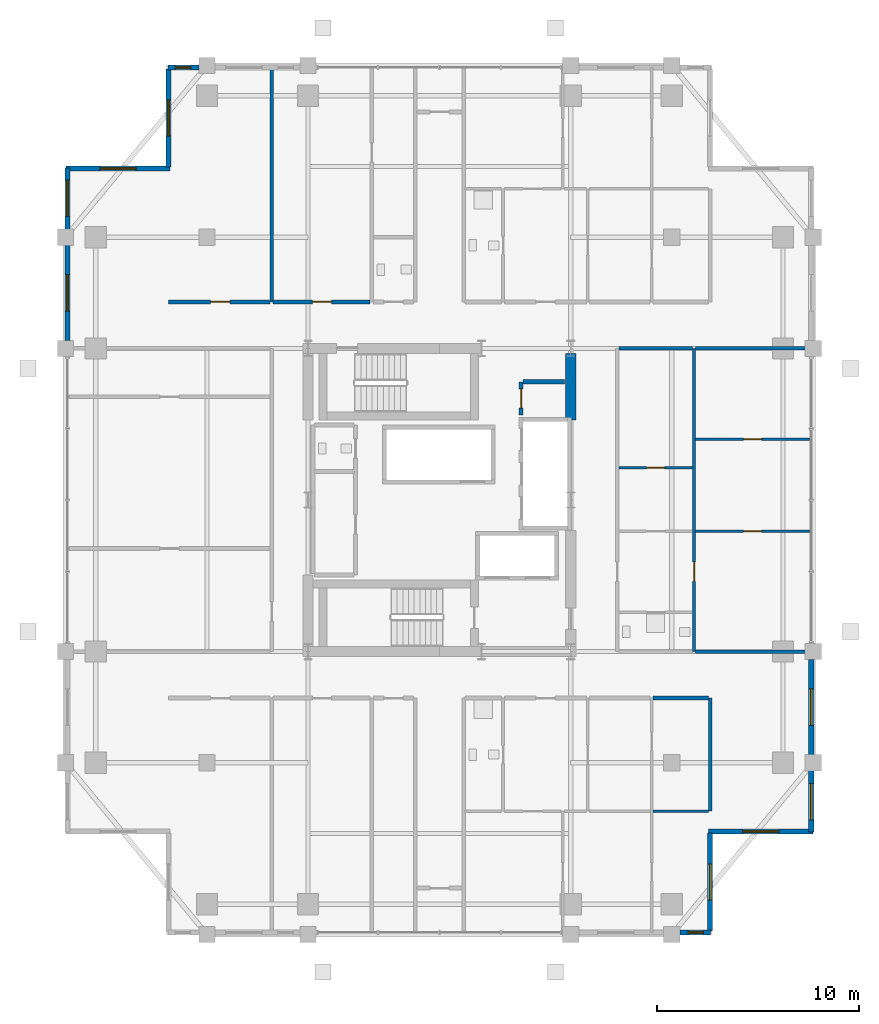
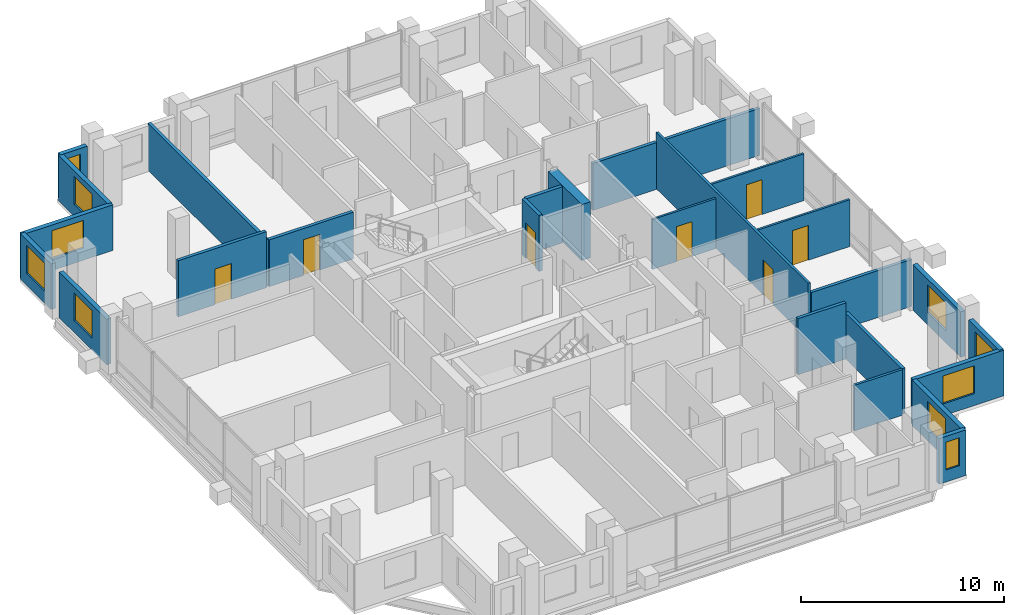
# One storey, part 20 of 24: 26 walls, 10 windows, 7 doors, 17 openings.
"""IFC4 building model written with IfcOpenShell, lengths in metres."""

from ifc_helpers import new_model, si_unit, direction, frame, frame_2d, origin, place, context, subcontext, project, spatial, rectangle, extrude, material, layer, layer_set, type_object, element, fill, save


model = new_model("IFC4")

# Units and contexts
model_context = context("Model", 3, precision=1e-05, world=origin(), true_north=direction((0.0, 1.0)))
body_context = subcontext(model_context, "Body", "Model", "MODEL_VIEW")
ifc_project = project(units=[si_unit("LENGTHUNIT", "METRE"), si_unit("AREAUNIT", "SQUARE_METRE"), si_unit("VOLUMEUNIT", "CUBIC_METRE"), si_unit("PLANEANGLEUNIT", "RADIAN"), si_unit("MASSUNIT", "GRAM", prefix="KILO")], contexts=[model_context])

# Site, building, storey
site_placement = place(None, origin())
site = spatial("IfcSite", under=ifc_project, at=site_placement, CompositionType="ELEMENT")
building_placement = place(site_placement, origin())
building = spatial("IfcBuilding", under=site, at=building_placement, Name="Barlavira Tower and Art Museum", CompositionType="ELEMENT")
storey_placement = place(building_placement, frame((0.0, 0.0, 180.0)))
storey = spatial("IfcBuildingStorey", under=building, at=storey_placement, Name="L46", CompositionType="ELEMENT", Elevation=180.0)

# Wall, opening, door
ifc_material_1 = material(Name="Gypsum acoustic stud partition", Category="gypsum")
ifc_layer_1 = layer(ifc_material_1, 0.1201171875, Name="Gypsum acoustic stud partition")
ifc_layer_set_1 = layer_set([ifc_layer_1], Name="Gypsum acoustic stud partition")
wall_type_1 = type_object("IfcWallType", Name="Apartment Internal Acoustic Partition 120", PredefinedType="PARTITIONING", material=ifc_layer_set_1)
wall_1_placement = place(storey_placement, frame((12.679931640625, -1.550048828125, 0.0), z_axis=(0.0, 0.0, 1.0), x_axis=(1.0, 0.0, 0.0)))
wall_1 = element("IfcWall", 1, at=wall_1_placement, inside=storey, type_object=wall_type_1, Name="L46 Partition Wall 45", PredefinedType="PARTITIONING", context=body_context, shape_type="SweptSolid", body=[
    extrude(rectangle(XDim=5.64013671875, YDim=0.1201171875, at=frame_2d((2.820068359375, 0.0))), origin(), (0.0, 0.0, 1.0), 2.825927734375),
])
opening_1_placement = place(wall_1_placement, frame((2.3701171875, 0.0, 0.0)))
opening_1 = element("IfcOpeningElement", 2, at=opening_1_placement, cuts=wall_1, Name="Opening D-01", PredefinedType="OPENING", context=body_context, shape_type="SweptSolid", body=[
    extrude(rectangle(XDim=0.89990234375, YDim=2.10009765625, at=frame_2d((0.449951171875, 1.050048828125))), frame((0.0, 0.070068359375, 0.0), z_axis=(0.0, -1.0, 0.0), x_axis=(1.0, 0.0, 0.0)), (0.0, 0.0, 1.0), 0.14013671875),
])
ifc_material_2 = material(Name="Engineered coastal hardwood", Category="wood")
door_type_1 = type_object("IfcDoorType", Name="Internal Bedroom Timber Flush Door 900x2100", OperationType="NOTDEFINED", PredefinedType="DOOR", material=ifc_material_2)
door_1_placement = place(opening_1_placement, origin())
door_1 = element("IfcDoor", 3, at=door_1_placement, inside=storey, type_object=door_type_1, Name="Apartment E1 Bedroom 1 Door", OperationType="SINGLE_SWING_LEFT", OverallHeight=2.10009765625, OverallWidth=0.89990234375, PredefinedType="DOOR", context=body_context, shape_type="SweptSolid", body=[
    extrude(rectangle(XDim=0.89990234375, YDim=2.10009765625, at=frame_2d((0.449951171875, 1.050048828125))), frame((0.0, 0.02490234375, 0.0), z_axis=(0.0, -1.0, 0.0), x_axis=(1.0, 0.0, 0.0)), (0.0, 0.0, 1.0), 0.050048828125),
])
fill(opening_1, door_1)

wall_2_placement = place(storey_placement, frame((8.8798828125, 1.60009765625, 0.0), z_axis=(0.0, 0.0, 1.0), x_axis=(1.0, 0.0, 0.0)))
wall_2 = element("IfcWall", 4, at=wall_2_placement, inside=storey, type_object=wall_type_1, Name="L46 Partition Wall 47", PredefinedType="PARTITIONING", context=body_context, shape_type="SweptSolid", body=[
    extrude(rectangle(XDim=3.64013671875, YDim=0.1201171875, at=frame_2d((1.820068359375, 0.0))), origin(), (0.0, 0.0, 1.0), 3.010986328125),
])
opening_2_placement = place(wall_2_placement, frame((1.3701171875, 0.0, 0.0)))
opening_2 = element("IfcOpeningElement", 5, at=opening_2_placement, cuts=wall_2, Name="Opening D-01", PredefinedType="OPENING", context=body_context, shape_type="SweptSolid", body=[
    extrude(rectangle(XDim=0.89990234375, YDim=2.10009765625, at=frame_2d((0.449951171875, 1.050048828125))), frame((0.0, 0.070068359375, 0.0), z_axis=(0.0, -1.0, 0.0), x_axis=(1.0, 0.0, 0.0)), (0.0, 0.0, 1.0), 0.14013671875),
])
door_2_placement = place(opening_2_placement, origin())
door_2 = element("IfcDoor", 6, at=door_2_placement, inside=storey, type_object=door_type_1, Name="Apartment E1 Walk-In Dressing Room Door", OperationType="SINGLE_SWING_LEFT", OverallHeight=2.10009765625, OverallWidth=0.89990234375, PredefinedType="DOOR", context=body_context, shape_type="SweptSolid", body=[
    extrude(rectangle(XDim=0.89990234375, YDim=2.10009765625, at=frame_2d((0.449951171875, 1.050048828125))), frame((0.0, 0.02490234375, 0.0), z_axis=(0.0, -1.0, 0.0), x_axis=(1.0, 0.0, 0.0)), (0.0, 0.0, 1.0), 0.050048828125),
])
fill(opening_2, door_2)

wall_3_placement = place(storey_placement, frame((12.679931640625, 3.0, 0.0), z_axis=(0.0, 0.0, 1.0), x_axis=(1.0, 0.0, 0.0)))
wall_3 = element("IfcWall", 7, at=wall_3_placement, inside=storey, type_object=wall_type_1, Name="L46 Partition Wall 48", PredefinedType="PARTITIONING", context=body_context, shape_type="SweptSolid", body=[
    extrude(rectangle(XDim=5.64013671875, YDim=0.1201171875, at=frame_2d((2.820068359375, 0.0))), origin(), (0.0, 0.0, 1.0), 2.825927734375),
])
opening_3_placement = place(wall_3_placement, frame((2.3701171875, 0.0, 0.0)))
opening_3 = element("IfcOpeningElement", 8, at=opening_3_placement, cuts=wall_3, Name="Opening D-01", PredefinedType="OPENING", context=body_context, shape_type="SweptSolid", body=[
    extrude(rectangle(XDim=0.89990234375, YDim=2.10009765625, at=frame_2d((0.449951171875, 1.050048828125))), frame((0.0, 0.070068359375, 0.0), z_axis=(0.0, -1.0, 0.0), x_axis=(1.0, 0.0, 0.0)), (0.0, 0.0, 1.0), 0.14013671875),
])
door_3_placement = place(opening_3_placement, origin())
door_3 = element("IfcDoor", 9, at=door_3_placement, inside=storey, type_object=door_type_1, Name="Apartment E1 Bedroom 2 Door", OperationType="SINGLE_SWING_RIGHT", OverallHeight=2.10009765625, OverallWidth=0.89990234375, PredefinedType="DOOR", context=body_context, shape_type="SweptSolid", body=[
    extrude(rectangle(XDim=0.89990234375, YDim=2.10009765625, at=frame_2d((0.449951171875, 1.050048828125))), frame((0.0, 0.02490234375, 0.0), z_axis=(0.0, -1.0, 0.0), x_axis=(1.0, 0.0, 0.0)), (0.0, 0.0, 1.0), 0.050048828125),
])
fill(opening_3, door_3)

# Wall
ifc_material_3 = material(Name="Concrete C60", Category="concrete")
ifc_layer_2 = layer(ifc_material_3, 0.5, Name="Concrete C60")
ifc_layer_set_2 = layer_set([ifc_layer_2], Name="Concrete C60")
wall_type_2 = type_object("IfcWallType", Name="Core Structural Shear Wall 500 Concrete C60", PredefinedType="SHEAR", material=ifc_layer_set_2)
wall_4_placement = place(storey_placement, frame((6.5, 3.949951171875, 0.0), z_axis=(0.0, 0.0, 1.0), x_axis=(0.0, 1.0, 0.0)))
element("IfcWall", 10, at=wall_4_placement, inside=storey, type_object=wall_type_2, Name="L46 Core Shear Wall CS-E2", PredefinedType="SHEAR", context=body_context, shape_type="SweptSolid", body=[
    extrude(rectangle(XDim=3.300048828125, YDim=0.5, at=frame_2d((1.64990234375, 0.0))), origin(), (0.0, 0.0, 1.0), 3.3798828125),
])

# Wall, opening, door
ifc_material_4 = material(Name="Autoclaved aerated concrete masonry", Category="masonry")
ifc_layer_3 = layer(ifc_material_4, 0.199951171875, Name="Autoclaved aerated concrete masonry")
ifc_layer_set_3 = layer_set([ifc_layer_3], Name="Autoclaved aerated concrete masonry")
wall_type_3 = type_object("IfcWallType", Name="Fire Compartment and Shaft Wall 200", PredefinedType="SOLIDWALL", material=ifc_layer_set_3)
wall_5_placement = place(storey_placement, frame((4.050048828125, 4.199951171875, 0.0), z_axis=(0.0, 0.0, 1.0), x_axis=(0.0, 1.0, 0.0)))
wall_5 = element("IfcWall", 11, at=wall_5_placement, inside=storey, type_object=wall_type_3, Name="L46 Partition Wall 14", PredefinedType="SOLIDWALL", context=body_context, shape_type="SweptSolid", body=[
    extrude(rectangle(XDim=1.650146484375, YDim=0.199951171875, at=frame_2d((0.8251953125, 0.0))), origin(), (0.0, 0.0, 1.0), 3.3798828125),
])
opening_4_placement = place(wall_5_placement, frame((0.344970703125, 0.0, 0.0)))
opening_4 = element("IfcOpeningElement", 12, at=opening_4_placement, cuts=wall_5, Name="Opening FD-60", PredefinedType="OPENING", context=body_context, shape_type="SweptSolid", body=[
    extrude(rectangle(XDim=0.949951171875, YDim=2.14990234375, at=frame_2d((0.47509765625, 1.074951171875))), frame((0.0, 0.10986328125, 0.0), z_axis=(0.0, -1.0, 0.0), x_axis=(1.0, 0.0, 0.0)), (0.0, 0.0, 1.0), 0.219970703125),
])
ifc_material_5 = material(Name="Brushed stainless steel", Category="steel")
door_type_2 = type_object("IfcDoorType", Name="Apartment Entrance and Riser Fire Door 950x2150 FD60S", OperationType="NOTDEFINED", PredefinedType="DOOR", material=ifc_material_5)
door_4_placement = place(opening_4_placement, origin())
door_4 = element("IfcDoor", 13, at=door_4_placement, inside=storey, type_object=door_type_2, Name="Telecom and BMS Distribution Room Door", OperationType="SINGLE_SWING_LEFT", OverallHeight=2.14990234375, OverallWidth=0.949951171875, PredefinedType="DOOR", context=body_context, shape_type="SweptSolid", body=[
    extrude(rectangle(XDim=0.949951171875, YDim=2.14990234375, at=frame_2d((0.47509765625, 1.074951171875))), frame((0.0, 0.02490234375, 0.0), z_axis=(0.0, -1.0, 0.0), x_axis=(1.0, 0.0, 0.0)), (0.0, 0.0, 1.0), 0.050048828125),
])
fill(opening_4, door_4)

# Walls
wall_6_placement = place(storey_placement, frame((4.1298828125, 5.85009765625, 0.0), z_axis=(0.0, 0.0, 1.0), x_axis=(1.0, 0.0, 0.0)))
element("IfcWall", 14, at=wall_6_placement, inside=storey, type_object=wall_type_3, Name="L46 Partition Wall 51", PredefinedType="SOLIDWALL", context=body_context, shape_type="SweptSolid", body=[
    extrude(rectangle(XDim=2.070068359375, YDim=0.199951171875, at=frame_2d((1.03515625, 0.0))), origin(), (0.0, 0.0, 1.0), 3.3798828125),
])
ifc_layer_4 = layer(ifc_material_1, 0.179931640625, Name="Gypsum acoustic stud partition")
ifc_layer_set_4 = layer_set([ifc_layer_4], Name="Gypsum acoustic stud partition")
wall_type_4 = type_object("IfcWallType", Name="Inter-Tenancy Party Partition Wall 180", PredefinedType="PARTITIONING", material=ifc_layer_set_4)
wall_7_placement = place(storey_placement, frame((-8.300048828125, 9.800048828125, 0.0), z_axis=(0.0, 0.0, 1.0), x_axis=(0.0, 1.0, 0.0)))
element("IfcWall", 15, at=wall_7_placement, inside=storey, type_object=wall_type_4, Name="L46 Partition Wall 3", PredefinedType="PARTITIONING", context=body_context, shape_type="SweptSolid", body=[
    extrude(rectangle(XDim=11.599853515625, YDim=0.179931640625, at=frame_2d((5.7998046875, 0.0))), origin(), (0.0, 0.0, 1.0), 2.825927734375),
])
wall_8_placement = place(storey_placement, frame((13.39990234375, -15.39990234375, 0.0), z_axis=(0.0, 0.0, 1.0), x_axis=(0.0, 1.0, 0.0)))
element("IfcWall", 16, at=wall_8_placement, inside=storey, type_object=wall_type_4, Name="L46 Partition Wall 23", PredefinedType="PARTITIONING", context=body_context, shape_type="SweptSolid", body=[
    extrude(rectangle(XDim=5.599853515625, YDim=0.179931640625, at=frame_2d((2.7998046875, 0.0))), origin(), (0.0, 0.0, 1.0), 2.748046875),
])
wall_9_placement = place(storey_placement, frame((10.580078125, -9.800048828125, 0.0), z_axis=(0.0, 0.0, 1.0), x_axis=(1.0, 0.0, 0.0)))
element("IfcWall", 17, at=wall_9_placement, inside=storey, type_object=wall_type_4, Name="L46 Partition Wall 37", PredefinedType="PARTITIONING", context=body_context, shape_type="SweptSolid", body=[
    extrude(rectangle(XDim=2.739990234375, YDim=0.179931640625, at=frame_2d((1.3701171875, 0.0))), origin(), (0.0, 0.0, 1.0), 3.3798828125),
])
wall_10_placement = place(storey_placement, frame((12.679931640625, -7.5, 0.0), z_axis=(0.0, 0.0, 1.0), x_axis=(1.0, 0.0, 0.0)))
element("IfcWall", 18, at=wall_10_placement, inside=storey, type_object=wall_type_4, Name="L46 Partition Wall 40", PredefinedType="PARTITIONING", context=body_context, shape_type="SweptSolid", body=[
    extrude(rectangle(XDim=5.719970703125, YDim=0.179931640625, at=frame_2d((2.85986328125, 0.0))), origin(), (0.0, 0.0, 1.0), 2.825927734375),
])
wall_11_placement = place(storey_placement, frame((8.8798828125, 7.5, 0.0), z_axis=(0.0, 0.0, 1.0), x_axis=(1.0, 0.0, 0.0)))
element("IfcWall", 19, at=wall_11_placement, inside=storey, type_object=wall_type_4, Name="L46 Partition Wall 53", PredefinedType="PARTITIONING", context=body_context, shape_type="SweptSolid", body=[
    extrude(rectangle(XDim=3.64013671875, YDim=0.179931640625, at=frame_2d((1.820068359375, 0.0))), origin(), (0.0, 0.0, 1.0), 2.825927734375),
])
wall_12_placement = place(storey_placement, frame((12.679931640625, 7.5, 0.0), z_axis=(0.0, 0.0, 1.0), x_axis=(1.0, 0.0, 0.0)))
element("IfcWall", 20, at=wall_12_placement, inside=storey, type_object=wall_type_4, Name="L46 Partition Wall 54", PredefinedType="PARTITIONING", context=body_context, shape_type="SweptSolid", body=[
    extrude(rectangle(XDim=5.719970703125, YDim=0.179931640625, at=frame_2d((2.85986328125, 0.0))), origin(), (0.0, 0.0, 1.0), 2.825927734375),
])

# Wall, opening, door
wall_13_placement = place(storey_placement, frame((-13.39990234375, 9.800048828125, 0.0), z_axis=(0.0, 0.0, 1.0), x_axis=(1.0, 0.0, 0.0)))
wall_13 = element("IfcWall", 21, at=wall_13_placement, inside=storey, type_object=wall_type_4, Name="L46 Partition Wall 55", PredefinedType="PARTITIONING", context=body_context, shape_type="SweptSolid", body=[
    extrude(rectangle(XDim=5.02001953125, YDim=0.179931640625, at=frame_2d((2.510009765625, 0.0))), origin(), (0.0, 0.0, 1.0), 3.3798828125),
])
opening_5_placement = place(wall_13_placement, frame((2.0849609375, 0.0, 0.0)))
opening_5 = element("IfcOpeningElement", 22, at=opening_5_placement, cuts=wall_13, Name="Opening FD-60", PredefinedType="OPENING", context=body_context, shape_type="SweptSolid", body=[
    extrude(rectangle(XDim=0.949951171875, YDim=2.14990234375, at=frame_2d((0.47509765625, 1.074951171875))), frame((0.0, 0.10009765625, 0.0), z_axis=(0.0, -1.0, 0.0), x_axis=(1.0, 0.0, 0.0)), (0.0, 0.0, 1.0), 0.199951171875),
])
door_5_placement = place(opening_5_placement, origin())
door_5 = element("IfcDoor", 23, at=door_5_placement, inside=storey, type_object=door_type_2, Name="Resident Ocean-View Fitness Studio Door", OperationType="SINGLE_SWING_RIGHT", OverallHeight=2.14990234375, OverallWidth=0.949951171875, PredefinedType="DOOR", context=body_context, shape_type="SweptSolid", body=[
    extrude(rectangle(XDim=0.949951171875, YDim=2.14990234375, at=frame_2d((0.47509765625, 1.074951171875))), frame((0.0, 0.02490234375, 0.0), z_axis=(0.0, -1.0, 0.0), x_axis=(1.0, 0.0, 0.0)), (0.0, 0.0, 1.0), 0.050048828125),
])
fill(opening_5, door_5)

wall_14_placement = place(storey_placement, frame((-8.219970703125, 9.800048828125, 0.0), z_axis=(0.0, 0.0, 1.0), x_axis=(1.0, 0.0, 0.0)))
wall_14 = element("IfcWall", 24, at=wall_14_placement, inside=storey, type_object=wall_type_4, Name="L46 Partition Wall 56", PredefinedType="PARTITIONING", context=body_context, shape_type="SweptSolid", body=[
    extrude(rectangle(XDim=4.7900390625, YDim=0.179931640625, at=frame_2d((2.39501953125, 0.0))), origin(), (0.0, 0.0, 1.0), 2.825927734375),
])
opening_6_placement = place(wall_14_placement, frame((1.93505859375, 0.0, 0.0)))
opening_6 = element("IfcOpeningElement", 25, at=opening_6_placement, cuts=wall_14, Name="Opening FD-60", PredefinedType="OPENING", context=body_context, shape_type="SweptSolid", body=[
    extrude(rectangle(XDim=0.949951171875, YDim=2.14990234375, at=frame_2d((0.47509765625, 1.074951171875))), frame((0.0, 0.10009765625, 0.0), z_axis=(0.0, -1.0, 0.0), x_axis=(1.0, 0.0, 0.0)), (0.0, 0.0, 1.0), 0.199951171875),
])
door_6_placement = place(opening_6_placement, origin())
door_6 = element("IfcDoor", 26, at=door_6_placement, inside=storey, type_object=door_type_2, Name="Coastal Hydrotherapy and Yoga Lounge Door", OperationType="SINGLE_SWING_LEFT", OverallHeight=2.14990234375, OverallWidth=0.949951171875, PredefinedType="DOOR", context=body_context, shape_type="SweptSolid", body=[
    extrude(rectangle(XDim=0.949951171875, YDim=2.14990234375, at=frame_2d((0.47509765625, 1.074951171875))), frame((0.0, 0.02490234375, 0.0), z_axis=(0.0, -1.0, 0.0), x_axis=(1.0, 0.0, 0.0)), (0.0, 0.0, 1.0), 0.050048828125),
])
fill(opening_6, door_6)

ifc_layer_5 = layer(ifc_material_1, 0.139892578125, Name="Gypsum acoustic stud partition")
ifc_layer_set_5 = layer_set([ifc_layer_5], Name="Gypsum acoustic stud partition")
wall_type_5 = type_object("IfcWallType", Name="Moisture-Resistant Bathroom Partition 140", PredefinedType="PARTITIONING", material=ifc_layer_set_5)
wall_15_placement = place(storey_placement, frame((12.60009765625, -7.5, 0.0), z_axis=(0.0, 0.0, 1.0), x_axis=(0.0, 1.0, 0.0)))
wall_15 = element("IfcWall", 27, at=wall_15_placement, inside=storey, type_object=wall_type_5, Name="L46 Partition Wall 22", PredefinedType="PARTITIONING", context=body_context, shape_type="SweptSolid", body=[
    extrude(rectangle(XDim=15.0, YDim=0.139892578125, at=frame_2d((7.5, 0.0))), origin(), (0.0, 0.0, 1.0), 3.3798828125),
])
opening_7_placement = place(wall_15_placement, frame((3.47509765625, 0.0, 0.0)))
opening_7 = element("IfcOpeningElement", 28, at=opening_7_placement, cuts=wall_15, Name="Opening D-02", PredefinedType="OPENING", context=body_context, shape_type="SweptSolid", body=[
    extrude(rectangle(XDim=0.949951171875, YDim=2.10009765625, at=frame_2d((0.47509765625, 1.050048828125))), frame((0.0, 0.080078125, 0.0), z_axis=(0.0, -1.0, 0.0), x_axis=(1.0, 0.0, 0.0)), (0.0, 0.0, 1.0), 0.159912109375),
])
door_type_3 = type_object("IfcDoorType", Name="Living and Salon Glazed-Leaf Door 950x2100", OperationType="NOTDEFINED", PredefinedType="DOOR", material=ifc_material_2)
door_7_placement = place(opening_7_placement, origin())
door_7 = element("IfcDoor", 29, at=door_7_placement, inside=storey, type_object=door_type_3, Name="Apartment E1 Living Lounge Door", OperationType="SINGLE_SWING_RIGHT", OverallHeight=2.10009765625, OverallWidth=0.949951171875, PredefinedType="DOOR", context=body_context, shape_type="SweptSolid", body=[
    extrude(rectangle(XDim=0.949951171875, YDim=2.10009765625, at=frame_2d((0.47509765625, 1.050048828125))), frame((0.0, 0.02490234375, 0.0), z_axis=(0.0, -1.0, 0.0), x_axis=(1.0, 0.0, 0.0)), (0.0, 0.0, 1.0), 0.050048828125),
])
fill(opening_7, door_7)

# Wall
wall_16_placement = place(storey_placement, frame((10.580078125, -15.39990234375, 0.0), z_axis=(0.0, 0.0, 1.0), x_axis=(1.0, 0.0, 0.0)))
element("IfcWall", 30, at=wall_16_placement, inside=storey, type_object=wall_type_5, Name="L46 Partition Wall 30", PredefinedType="PARTITIONING", context=body_context, shape_type="SweptSolid", body=[
    extrude(rectangle(XDim=2.739990234375, YDim=0.139892578125, at=frame_2d((1.3701171875, 0.0))), origin(), (0.0, 0.0, 1.0), 2.748046875),
])

# Wall, opening, window
ifc_material_6 = material(Name="Precast concrete C40", Category="concrete")
ifc_layer_6 = layer(ifc_material_6, 0.25, Name="Precast concrete C40")
ifc_layer_set_6 = layer_set([ifc_layer_6], Name="Precast concrete C40")
wall_type_6 = type_object("IfcWallType", Name="Notched Corner Spandrel Wall 250 Precast Concrete C40", PredefinedType="SOLIDWALL", material=ifc_layer_set_6)
wall_17_placement = place(storey_placement, frame((11.89501953125, -21.39990234375, 0.0), z_axis=(0.0, 0.0, 1.0), x_axis=(1.0, 0.0, 0.0)))
wall_17 = element("IfcWall", 31, at=wall_17_placement, inside=storey, type_object=wall_type_6, Name="L46 Coastal Facade Pier Wall CW3-L46-S-5", PredefinedType="SOLIDWALL", context=body_context, shape_type="SweptSolid", body=[
    extrude(rectangle(XDim=1.530029296875, YDim=0.25, at=frame_2d((0.76513671875, 0.0))), origin(), (0.0, 0.0, 1.0), 2.748046875),
])
opening_8_placement = place(wall_17_placement, frame((0.407958984375, 0.0, 0.719970703125)))
opening_8 = element("IfcOpeningElement", 32, at=opening_8_placement, cuts=wall_17, Name="Opening WN-06", PredefinedType="OPENING", context=body_context, shape_type="SweptSolid", body=[
    extrude(rectangle(XDim=0.760009765625, YDim=1.679931640625, at=frame_2d((0.3798828125, 0.83984375))), frame((0.0, 0.135009765625, 0.0), z_axis=(0.0, -1.0, 0.0), x_axis=(1.0, 0.0, 0.0)), (0.0, 0.0, 1.0), 0.27001953125),
])
ifc_material_7 = material(Name="Low-iron coastal laminated glass", Category="glass")
window_type_1 = type_object("IfcWindowType", Name="Recessed Narrow Pier Window 760x1680", PartitioningType="SINGLE_PANEL", PredefinedType="WINDOW", material=ifc_material_7)
window_1_placement = place(opening_8_placement, origin())
window_1 = element("IfcWindow", 33, at=window_1_placement, inside=storey, type_object=window_type_1, Name="L46 Punched Facade Window EWP-CW3-L46-S-5-1", OverallHeight=1.679931640625, OverallWidth=0.760009765625, PartitioningType="SINGLE_PANEL", PredefinedType="WINDOW", context=body_context, shape_type="SweptSolid", body=[
    extrude(rectangle(XDim=0.760009765625, YDim=1.679931640625, at=frame_2d((0.3798828125, 0.83984375))), frame((0.0, 0.030029296875, 0.0), z_axis=(0.0, -1.0, 0.0), x_axis=(1.0, 0.0, 0.0)), (0.0, 0.0, 1.0), 0.06005859375),
])
fill(opening_8, window_1)

wall_18_placement = place(storey_placement, frame((-11.89501953125, 21.39990234375, 0.0), z_axis=(0.0, 0.0, 1.0), x_axis=(-1.0, 0.0, 0.0)))
wall_18 = element("IfcWall", 34, at=wall_18_placement, inside=storey, type_object=wall_type_6, Name="L46 Coastal Facade Pier Wall CW3-L46-N-5", PredefinedType="SOLIDWALL", context=body_context, shape_type="SweptSolid", body=[
    extrude(rectangle(XDim=1.530029296875, YDim=0.25, at=frame_2d((0.76513671875, 0.0))), origin(), (0.0, 0.0, 1.0), 2.748046875),
])
opening_9_placement = place(wall_18_placement, frame((0.407958984375, 0.0, 0.719970703125)))
opening_9 = element("IfcOpeningElement", 35, at=opening_9_placement, cuts=wall_18, Name="Opening WN-06", PredefinedType="OPENING", context=body_context, shape_type="SweptSolid", body=[
    extrude(rectangle(XDim=0.760009765625, YDim=1.679931640625, at=frame_2d((0.3798828125, 0.83984375))), frame((0.0, 0.135009765625, 0.0), z_axis=(0.0, -1.0, 0.0), x_axis=(1.0, 0.0, 0.0)), (0.0, 0.0, 1.0), 0.27001953125),
])
window_2_placement = place(opening_9_placement, origin())
window_2 = element("IfcWindow", 36, at=window_2_placement, inside=storey, type_object=window_type_1, Name="L46 Punched Facade Window EWP-CW3-L46-N-5-1", OverallHeight=1.679931640625, OverallWidth=0.760009765625, PartitioningType="SINGLE_PANEL", PredefinedType="WINDOW", context=body_context, shape_type="SweptSolid", body=[
    extrude(rectangle(XDim=0.760009765625, YDim=1.679931640625, at=frame_2d((0.3798828125, 0.83984375))), frame((0.0, 0.030029296875, 0.0), z_axis=(0.0, -1.0, 0.0), x_axis=(1.0, 0.0, 0.0)), (0.0, 0.0, 1.0), 0.06005859375),
])
fill(opening_9, window_2)

wall_19_placement = place(storey_placement, frame((-18.39990234375, 16.425048828125, 0.0), z_axis=(0.0, 0.0, 1.0), x_axis=(0.0, -1.0, 0.0)))
wall_19 = element("IfcWall", 37, at=wall_19_placement, inside=storey, type_object=wall_type_6, Name="L46 Coastal Facade Pier Wall CW3-L46-W-1", PredefinedType="SOLIDWALL", context=body_context, shape_type="SweptSolid", body=[
    extrude(rectangle(XDim=3.030029296875, YDim=0.25, at=frame_2d((1.51513671875, 0.0))), origin(), (0.0, 0.0, 1.0), 2.748046875),
])
opening_10_placement = place(wall_19_placement, frame((0.593017578125, 0.0, 0.719970703125)))
opening_10 = element("IfcOpeningElement", 38, at=opening_10_placement, cuts=wall_19, Name="Opening WN-01", PredefinedType="OPENING", context=body_context, shape_type="SweptSolid", body=[
    extrude(rectangle(XDim=1.800048828125, YDim=1.679931640625, at=frame_2d((0.89990234375, 0.83984375))), frame((0.0, 0.135009765625, 0.0), z_axis=(0.0, -1.0, 0.0), x_axis=(1.0, 0.0, 0.0)), (0.0, 0.0, 1.0), 0.27001953125),
])
window_type_2 = type_object("IfcWindowType", Name="Recessed Notch Corner Punch Window 1800x1680", PartitioningType="SINGLE_PANEL", PredefinedType="WINDOW", material=ifc_material_7)
window_3_placement = place(opening_10_placement, origin())
window_3 = element("IfcWindow", 39, at=window_3_placement, inside=storey, type_object=window_type_2, Name="L46 Punched Facade Window EWP-CW3-L46-W-1-1", OverallHeight=1.679931640625, OverallWidth=1.800048828125, PartitioningType="SINGLE_PANEL", PredefinedType="WINDOW", context=body_context, shape_type="SweptSolid", body=[
    extrude(rectangle(XDim=1.800048828125, YDim=1.679931640625, at=frame_2d((0.89990234375, 0.83984375))), frame((0.0, 0.030029296875, 0.0), z_axis=(0.0, -1.0, 0.0), x_axis=(1.0, 0.0, 0.0)), (0.0, 0.0, 1.0), 0.06005859375),
])
fill(opening_10, window_3)

wall_20_placement = place(storey_placement, frame((-18.39990234375, 12.60498046875, 0.0), z_axis=(0.0, 0.0, 1.0), x_axis=(0.0, -1.0, 0.0)))
wall_20 = element("IfcWall", 40, at=wall_20_placement, inside=storey, type_object=wall_type_6, Name="L46 Coastal Facade Pier Wall CW3-L46-W-2", PredefinedType="SOLIDWALL", context=body_context, shape_type="SweptSolid", body=[
    extrude(rectangle(XDim=4.7099609375, YDim=0.25, at=frame_2d((2.35498046875, 0.0))), origin(), (0.0, 0.0, 1.0), 2.748046875),
])
opening_11_placement = place(wall_20_placement, frame((1.455078125, 0.0, 0.719970703125)))
opening_11 = element("IfcOpeningElement", 41, at=opening_11_placement, cuts=wall_20, Name="Opening WN-01", PredefinedType="OPENING", context=body_context, shape_type="SweptSolid", body=[
    extrude(rectangle(XDim=1.800048828125, YDim=1.679931640625, at=frame_2d((0.89990234375, 0.83984375))), frame((0.0, 0.135009765625, 0.0), z_axis=(0.0, -1.0, 0.0), x_axis=(1.0, 0.0, 0.0)), (0.0, 0.0, 1.0), 0.27001953125),
])
window_4_placement = place(opening_11_placement, origin())
window_4 = element("IfcWindow", 42, at=window_4_placement, inside=storey, type_object=window_type_2, Name="L46 Punched Facade Window EWP-CW3-L46-W-2-1", OverallHeight=1.679931640625, OverallWidth=1.800048828125, PartitioningType="SINGLE_PANEL", PredefinedType="WINDOW", context=body_context, shape_type="SweptSolid", body=[
    extrude(rectangle(XDim=1.800048828125, YDim=1.679931640625, at=frame_2d((0.89990234375, 0.83984375))), frame((0.0, 0.030029296875, 0.0), z_axis=(0.0, -1.0, 0.0), x_axis=(1.0, 0.0, 0.0)), (0.0, 0.0, 1.0), 0.06005859375),
])
fill(opening_11, window_4)

wall_21_placement = place(storey_placement, frame((18.39990234375, -16.425048828125, 0.0), z_axis=(0.0, 0.0, 1.0), x_axis=(0.0, 1.0, 0.0)))
wall_21 = element("IfcWall", 43, at=wall_21_placement, inside=storey, type_object=wall_type_6, Name="L46 Coastal Facade Pier Wall CW3-L46-E-1", PredefinedType="SOLIDWALL", context=body_context, shape_type="SweptSolid", body=[
    extrude(rectangle(XDim=3.030029296875, YDim=0.25, at=frame_2d((1.51513671875, 0.0))), origin(), (0.0, 0.0, 1.0), 2.748046875),
])
opening_12_placement = place(wall_21_placement, frame((0.593017578125, 0.0, 0.719970703125)))
opening_12 = element("IfcOpeningElement", 44, at=opening_12_placement, cuts=wall_21, Name="Opening WN-01", PredefinedType="OPENING", context=body_context, shape_type="SweptSolid", body=[
    extrude(rectangle(XDim=1.800048828125, YDim=1.679931640625, at=frame_2d((0.89990234375, 0.83984375))), frame((0.0, 0.135009765625, 0.0), z_axis=(0.0, -1.0, 0.0), x_axis=(1.0, 0.0, 0.0)), (0.0, 0.0, 1.0), 0.27001953125),
])
window_5_placement = place(opening_12_placement, origin())
window_5 = element("IfcWindow", 45, at=window_5_placement, inside=storey, type_object=window_type_2, Name="L46 Punched Facade Window EWP-CW3-L46-E-1-1", OverallHeight=1.679931640625, OverallWidth=1.800048828125, PartitioningType="SINGLE_PANEL", PredefinedType="WINDOW", context=body_context, shape_type="SweptSolid", body=[
    extrude(rectangle(XDim=1.800048828125, YDim=1.679931640625, at=frame_2d((0.89990234375, 0.83984375))), frame((0.0, 0.030029296875, 0.0), z_axis=(0.0, -1.0, 0.0), x_axis=(1.0, 0.0, 0.0)), (0.0, 0.0, 1.0), 0.06005859375),
])
fill(opening_12, window_5)

wall_22_placement = place(storey_placement, frame((18.39990234375, -12.60498046875, 0.0), z_axis=(0.0, 0.0, 1.0), x_axis=(0.0, 1.0, 0.0)))
wall_22 = element("IfcWall", 46, at=wall_22_placement, inside=storey, type_object=wall_type_6, Name="L46 Coastal Facade Pier Wall CW3-L46-E-2", PredefinedType="SOLIDWALL", context=body_context, shape_type="SweptSolid", body=[
    extrude(rectangle(XDim=4.7099609375, YDim=0.25, at=frame_2d((2.35498046875, 0.0))), origin(), (0.0, 0.0, 1.0), 2.748046875),
])
opening_13_placement = place(wall_22_placement, frame((1.455078125, 0.0, 0.719970703125)))
opening_13 = element("IfcOpeningElement", 47, at=opening_13_placement, cuts=wall_22, Name="Opening WN-01", PredefinedType="OPENING", context=body_context, shape_type="SweptSolid", body=[
    extrude(rectangle(XDim=1.800048828125, YDim=1.679931640625, at=frame_2d((0.89990234375, 0.83984375))), frame((0.0, 0.135009765625, 0.0), z_axis=(0.0, -1.0, 0.0), x_axis=(1.0, 0.0, 0.0)), (0.0, 0.0, 1.0), 0.27001953125),
])
window_6_placement = place(opening_13_placement, origin())
window_6 = element("IfcWindow", 48, at=window_6_placement, inside=storey, type_object=window_type_2, Name="L46 Punched Facade Window EWP-CW3-L46-E-2-1", OverallHeight=1.679931640625, OverallWidth=1.800048828125, PartitioningType="SINGLE_PANEL", PredefinedType="WINDOW", context=body_context, shape_type="SweptSolid", body=[
    extrude(rectangle(XDim=1.800048828125, YDim=1.679931640625, at=frame_2d((0.89990234375, 0.83984375))), frame((0.0, 0.030029296875, 0.0), z_axis=(0.0, -1.0, 0.0), x_axis=(1.0, 0.0, 0.0)), (0.0, 0.0, 1.0), 0.06005859375),
])
fill(opening_13, window_6)

wall_23_placement = place(storey_placement, frame((13.39990234375, -21.320068359375, 0.0), z_axis=(0.0, 0.0, 1.0), x_axis=(0.0, 1.0, 0.0)))
wall_23 = element("IfcWall", 49, at=wall_23_placement, inside=storey, type_object=wall_type_6, Name="L46 Notch Corner Wall SE1", PredefinedType="SOLIDWALL", context=body_context, shape_type="SweptSolid", body=[
    extrude(rectangle(XDim=4.840087890625, YDim=0.25, at=frame_2d((2.419921875, 0.0))), origin(), (0.0, 0.0, 1.0), 2.748046875),
])
opening_14_placement = place(wall_23_placement, frame((1.52001953125, 0.0, 0.719970703125)))
opening_14 = element("IfcOpeningElement", 50, at=opening_14_placement, cuts=wall_23, Name="Opening WN-01", PredefinedType="OPENING", context=body_context, shape_type="SweptSolid", body=[
    extrude(rectangle(XDim=1.800048828125, YDim=1.679931640625, at=frame_2d((0.89990234375, 0.83984375))), frame((0.0, 0.135009765625, 0.0), z_axis=(0.0, -1.0, 0.0), x_axis=(1.0, 0.0, 0.0)), (0.0, 0.0, 1.0), 0.27001953125),
])
window_7_placement = place(opening_14_placement, origin())
window_7 = element("IfcWindow", 51, at=window_7_placement, inside=storey, type_object=window_type_2, Name="L46 Punched Facade Window EW-NTC-L46-SE1-1", OverallHeight=1.679931640625, OverallWidth=1.800048828125, PartitioningType="SINGLE_PANEL", PredefinedType="WINDOW", context=body_context, shape_type="SweptSolid", body=[
    extrude(rectangle(XDim=1.800048828125, YDim=1.679931640625, at=frame_2d((0.89990234375, 0.83984375))), frame((0.0, 0.030029296875, 0.0), z_axis=(0.0, -1.0, 0.0), x_axis=(1.0, 0.0, 0.0)), (0.0, 0.0, 1.0), 0.06005859375),
])
fill(opening_14, window_7)

wall_24_placement = place(storey_placement, frame((13.320068359375, -16.39990234375, 0.0), z_axis=(0.0, 0.0, 1.0), x_axis=(1.0, 0.0, 0.0)))
wall_24 = element("IfcWall", 52, at=wall_24_placement, inside=storey, type_object=wall_type_6, Name="L46 Notch Corner Wall SE2", PredefinedType="SOLIDWALL", context=body_context, shape_type="SweptSolid", body=[
    extrude(rectangle(XDim=5.159912109375, YDim=0.25, at=frame_2d((2.580078125, 0.0))), origin(), (0.0, 0.0, 1.0), 2.748046875),
])
opening_15_placement = place(wall_24_placement, frame((1.679931640625, 0.0, 0.719970703125)))
opening_15 = element("IfcOpeningElement", 53, at=opening_15_placement, cuts=wall_24, Name="Opening WN-01", PredefinedType="OPENING", context=body_context, shape_type="SweptSolid", body=[
    extrude(rectangle(XDim=1.800048828125, YDim=1.679931640625, at=frame_2d((0.89990234375, 0.83984375))), frame((0.0, 0.135009765625, 0.0), z_axis=(0.0, -1.0, 0.0), x_axis=(1.0, 0.0, 0.0)), (0.0, 0.0, 1.0), 0.27001953125),
])
window_8_placement = place(opening_15_placement, origin())
window_8 = element("IfcWindow", 54, at=window_8_placement, inside=storey, type_object=window_type_2, Name="L46 Punched Facade Window EW-NTC-L46-SE2-1", OverallHeight=1.679931640625, OverallWidth=1.800048828125, PartitioningType="SINGLE_PANEL", PredefinedType="WINDOW", context=body_context, shape_type="SweptSolid", body=[
    extrude(rectangle(XDim=1.800048828125, YDim=1.679931640625, at=frame_2d((0.89990234375, 0.83984375))), frame((0.0, 0.030029296875, 0.0), z_axis=(0.0, -1.0, 0.0), x_axis=(1.0, 0.0, 0.0)), (0.0, 0.0, 1.0), 0.06005859375),
])
fill(opening_15, window_8)

wall_25_placement = place(storey_placement, frame((-13.39990234375, 21.320068359375, 0.0), z_axis=(0.0, 0.0, 1.0), x_axis=(0.0, -1.0, 0.0)))
wall_25 = element("IfcWall", 55, at=wall_25_placement, inside=storey, type_object=wall_type_6, Name="L46 Notch Corner Wall NW1", PredefinedType="SOLIDWALL", context=body_context, shape_type="SweptSolid", body=[
    extrude(rectangle(XDim=4.840087890625, YDim=0.25, at=frame_2d((2.419921875, 0.0))), origin(), (0.0, 0.0, 1.0), 2.748046875),
])
opening_16_placement = place(wall_25_placement, frame((1.52001953125, 0.0, 0.719970703125)))
opening_16 = element("IfcOpeningElement", 56, at=opening_16_placement, cuts=wall_25, Name="Opening WN-01", PredefinedType="OPENING", context=body_context, shape_type="SweptSolid", body=[
    extrude(rectangle(XDim=1.800048828125, YDim=1.679931640625, at=frame_2d((0.89990234375, 0.83984375))), frame((0.0, 0.135009765625, 0.0), z_axis=(0.0, -1.0, 0.0), x_axis=(1.0, 0.0, 0.0)), (0.0, 0.0, 1.0), 0.27001953125),
])
window_9_placement = place(opening_16_placement, origin())
window_9 = element("IfcWindow", 57, at=window_9_placement, inside=storey, type_object=window_type_2, Name="L46 Punched Facade Window EW-NTC-L46-NW1-1", OverallHeight=1.679931640625, OverallWidth=1.800048828125, PartitioningType="SINGLE_PANEL", PredefinedType="WINDOW", context=body_context, shape_type="SweptSolid", body=[
    extrude(rectangle(XDim=1.800048828125, YDim=1.679931640625, at=frame_2d((0.89990234375, 0.83984375))), frame((0.0, 0.030029296875, 0.0), z_axis=(0.0, -1.0, 0.0), x_axis=(1.0, 0.0, 0.0)), (0.0, 0.0, 1.0), 0.06005859375),
])
fill(opening_16, window_9)

wall_26_placement = place(storey_placement, frame((-13.320068359375, 16.39990234375, 0.0), z_axis=(0.0, 0.0, 1.0), x_axis=(-1.0, 0.0, 0.0)))
wall_26 = element("IfcWall", 58, at=wall_26_placement, inside=storey, type_object=wall_type_6, Name="L46 Notch Corner Wall NW2", PredefinedType="SOLIDWALL", context=body_context, shape_type="SweptSolid", body=[
    extrude(rectangle(XDim=5.159912109375, YDim=0.25, at=frame_2d((2.580078125, 0.0))), origin(), (0.0, 0.0, 1.0), 2.748046875),
])
opening_17_placement = place(wall_26_placement, frame((1.679931640625, 0.0, 0.719970703125)))
opening_17 = element("IfcOpeningElement", 59, at=opening_17_placement, cuts=wall_26, Name="Opening WN-01", PredefinedType="OPENING", context=body_context, shape_type="SweptSolid", body=[
    extrude(rectangle(XDim=1.800048828125, YDim=1.679931640625, at=frame_2d((0.89990234375, 0.83984375))), frame((0.0, 0.135009765625, 0.0), z_axis=(0.0, -1.0, 0.0), x_axis=(1.0, 0.0, 0.0)), (0.0, 0.0, 1.0), 0.27001953125),
])
window_10_placement = place(opening_17_placement, origin())
window_10 = element("IfcWindow", 60, at=window_10_placement, inside=storey, type_object=window_type_2, Name="L46 Punched Facade Window EW-NTC-L46-NW2-1", OverallHeight=1.679931640625, OverallWidth=1.800048828125, PartitioningType="SINGLE_PANEL", PredefinedType="WINDOW", context=body_context, shape_type="SweptSolid", body=[
    extrude(rectangle(XDim=1.800048828125, YDim=1.679931640625, at=frame_2d((0.89990234375, 0.83984375))), frame((0.0, 0.030029296875, 0.0), z_axis=(0.0, -1.0, 0.0), x_axis=(1.0, 0.0, 0.0)), (0.0, 0.0, 1.0), 0.06005859375),
])
fill(opening_17, window_10)

save(model, "model.ifc")
